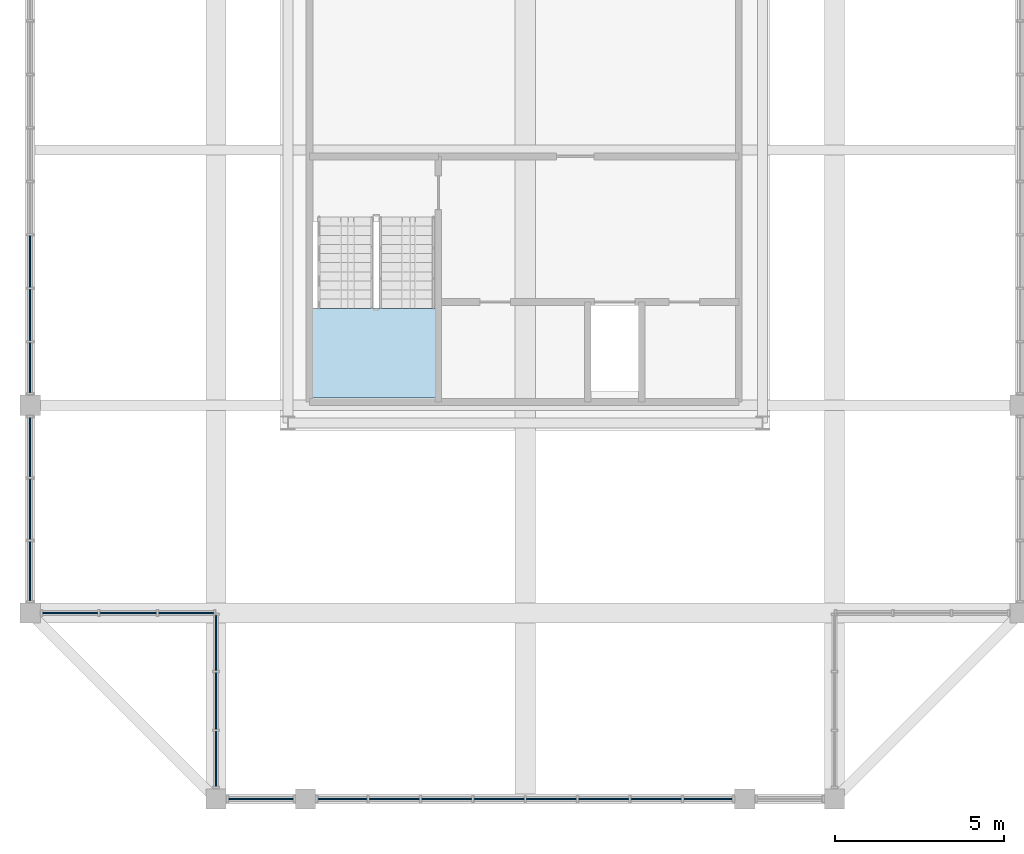
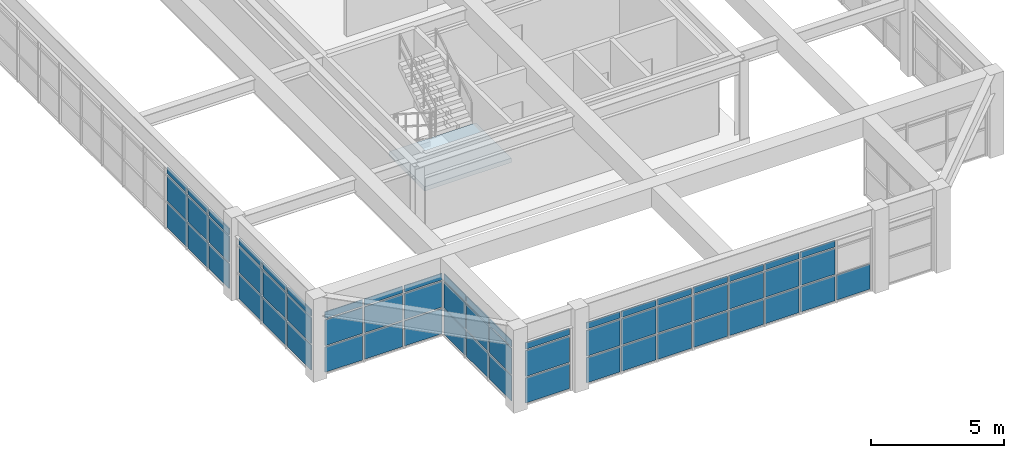
# One storey, part 23 of 28: 61 plates, 1 slab, 7 elements without a shape of their own.
"""IFC4 building model written with IfcOpenShell, lengths in metres."""

from ifc_helpers import new_model, si_unit, direction, frame, origin, origin_2d, place, context, subcontext, project, spatial, polyline, rectangle, outline, extrude, source, transform, mapped, material, layer, layer_set, type_object, element, aggregate, save


model = new_model("IFC4")

# Units and contexts
model_context = context("Model", 3, precision=1e-05, world=origin(), true_north=direction((0.0, 1.0)))
body_context = subcontext(model_context, "Body", "Model", "MODEL_VIEW")
ifc_project = project(units=[si_unit("LENGTHUNIT", "METRE"), si_unit("AREAUNIT", "SQUARE_METRE"), si_unit("VOLUMEUNIT", "CUBIC_METRE"), si_unit("PLANEANGLEUNIT", "RADIAN"), si_unit("MASSUNIT", "GRAM", prefix="KILO")], contexts=[model_context])

# Site, building, storey
site_placement = place(None, origin())
site = spatial("IfcSite", under=ifc_project, at=site_placement, CompositionType="ELEMENT")
building_placement = place(site_placement, origin())
building = spatial("IfcBuilding", under=site, at=building_placement, Name="Saelheon Loggia Tower", CompositionType="ELEMENT")
storey_placement = place(building_placement, frame((0.0, 0.0, 271.199951171875)))
storey = spatial("IfcBuildingStorey", under=building, at=storey_placement, Name="CR6", CompositionType="ELEMENT", Elevation=271.199951171875)

# Stair, slab
ifc_material_1 = material(Name="Concrete C40/50", Category="concrete")
stair_type = type_object("IfcStairType", Name="Stair_Plant_Crown", PredefinedType="HALF_TURN_STAIR", material=ifc_material_1)
stair_placement = place(storey_placement, origin())
stair = element("IfcStair", 1, at=stair_placement, inside=storey, type_object=stair_type, Name="CR6 Crown Plant Stair ST5", PredefinedType="HALF_TURN_STAIR")
ifc_layer_1 = layer(ifc_material_1, 0.199951171875)
ifc_layer_set_1 = layer_set([ifc_layer_1], Name="Concrete C40/50")
slab_type = type_object("IfcSlabType", Name="Slab_StairLanding_ST5", PredefinedType="LANDING", material=ifc_layer_set_1)
slab_placement = place(storey_placement, frame((0.0, 0.0, 1.699951171875)))
slab = element("IfcSlab", 2, at=slab_placement, type_object=slab_type, Name="ST5 landing 1", PredefinedType="LANDING", context=body_context, shape_type="SweptSolid", body=[
    extrude(outline(polyline([(31.7099609375, 20.8701171875), (31.7099609375, 18.2099609375), (35.469970703125, 18.2099609375), (35.469970703125, 20.8701171875), (31.7099609375, 20.8701171875)])), origin(), (0.0, 0.0, 1.0), 0.2001953125),
])
aggregate(stair, [slab])

# Curtain wall, plates
ifc_material_2 = material(Name="Bronze-Anodised Aluminium and Fritted Ceramic Screen", Category="aluminium")
ifc_layer_2 = layer(ifc_material_2, 0.219970703125)
ifc_layer_set_2 = layer_set([ifc_layer_2], Name="Bronze-Anodised Aluminium and Fritted Ceramic Screen")
curtain_wall_type = type_object("IfcCurtainWallType", Name="CW_CrownScreen", PredefinedType="NOTDEFINED", material=ifc_layer_set_2)
curtain_wall_1_placement = place(storey_placement, origin())
curtain_wall_1 = element("IfcCurtainWall", 3, at=curtain_wall_1_placement, inside=storey, type_object=curtain_wall_type, Name="CR6 Crown Screen Curtain Wall 0-1", PredefinedType="NOTDEFINED")
ifc_material_3 = material(Name="Bronze Ceramic Fritted Spandrel Panel", Category="aluminium")
ifc_layer_3 = layer(ifc_material_3, 0.0380859375)
ifc_layer_set_3 = layer_set([ifc_layer_3], Name="Bronze Ceramic Fritted Spandrel Panel")
plate_type = type_object("IfcPlateType", Name="CW_CrownScreen_Panel", PredefinedType="CURTAIN_PANEL", material=ifc_layer_set_3)
shared_shape_1 = source(origin(), body_context, "Body", "SweptSolid", [
    extrude(rectangle(XDim=1.909912109375, YDim=0.0380859375, at=origin_2d()), origin(), (0.0, 0.0, 1.0), 1.14501953125),
])
plate_1_placement = place(storey_placement, frame((30.175048828125, 6.35009765625, 0.070068359375), z_axis=(0.0, 0.0, 1.0), x_axis=(1.0, 0.0, 0.0)))
plate_1 = element("IfcPlate", 4, at=plate_1_placement, type_object=plate_type, Name="CW6 panel 1.1", PredefinedType="CURTAIN_PANEL", context=body_context, shape_type="MappedRepresentation", body=[
    mapped(shared_shape_1, transform((0.0, 0.0, 0.0), scale=1.0)),
])
shared_shape_2 = source(origin(), body_context, "Body", "SweptSolid", [
    extrude(rectangle(XDim=1.909912109375, YDim=0.0380859375, at=origin_2d()), origin(), (0.0, 0.0, 1.0), 1.179931640625),
])
plate_2_placement = place(storey_placement, frame((30.175048828125, 6.35009765625, 1.28515625), z_axis=(0.0, 0.0, 1.0), x_axis=(1.0, 0.0, 0.0)))
plate_2 = element("IfcPlate", 5, at=plate_2_placement, type_object=plate_type, Name="CW6 panel 1.2", PredefinedType="CURTAIN_PANEL", context=body_context, shape_type="MappedRepresentation", body=[
    mapped(shared_shape_2, transform((0.0, 0.0, 0.0), scale=1.0)),
])
shared_shape_3 = source(origin(), body_context, "Body", "SweptSolid", [
    extrude(rectangle(XDim=1.909912109375, YDim=0.0380859375, at=origin_2d()), origin(), (0.0, 0.0, 1.0), 0.294921875),
])
plate_3_placement = place(storey_placement, frame((30.175048828125, 6.35009765625, 2.53515625), z_axis=(0.0, 0.0, 1.0), x_axis=(1.0, 0.0, 0.0)))
plate_3 = element("IfcPlate", 6, at=plate_3_placement, type_object=plate_type, Name="CW6 panel 1.3", PredefinedType="CURTAIN_PANEL", context=body_context, shape_type="MappedRepresentation", body=[
    mapped(shared_shape_3, transform((0.0, 0.0, 0.0), scale=1.0)),
])
aggregate(curtain_wall_1, [plate_1, plate_2, plate_3])

curtain_wall_2_placement = place(storey_placement, origin())
curtain_wall_2 = element("IfcCurtainWall", 7, at=curtain_wall_2_placement, inside=storey, type_object=curtain_wall_type, Name="CR6 Crown Screen Curtain Wall 0-2", PredefinedType="NOTDEFINED")
shared_shape_4 = source(origin(), body_context, "Body", "SweptSolid", [
    extrude(rectangle(XDim=1.445068359375, YDim=0.0380859375, at=origin_2d()), origin(), (0.0, 0.0, 1.0), 1.14501953125),
])
plate_4_placement = place(storey_placement, frame((32.592529296875, 6.35009765625, 0.070068359375), z_axis=(0.0, 0.0, 1.0), x_axis=(1.0, 0.0, 0.0)))
plate_4 = element("IfcPlate", 8, at=plate_4_placement, type_object=plate_type, Name="CW6 panel 1.1", PredefinedType="CURTAIN_PANEL", context=body_context, shape_type="MappedRepresentation", body=[
    mapped(shared_shape_4, transform((0.0, 0.0, 0.0), scale=1.0)),
])
plate_5_placement = place(storey_placement, frame((43.407470703125, 6.35009765625, 0.070068359375), z_axis=(0.0, 0.0, 1.0), x_axis=(1.0, 0.0, 0.0)))
plate_5 = element("IfcPlate", 9, at=plate_5_placement, type_object=plate_type, Name="CW6 panel 8.1", PredefinedType="CURTAIN_PANEL", context=body_context, shape_type="MappedRepresentation", body=[
    mapped(shared_shape_4, transform((0.0, 0.0, 0.0), scale=1.0)),
])
shared_shape_5 = source(origin(), body_context, "Body", "SweptSolid", [
    extrude(rectangle(XDim=1.445068359375, YDim=0.0380859375, at=origin_2d()), origin(), (0.0, 0.0, 1.0), 1.179931640625),
])
plate_6_placement = place(storey_placement, frame((32.592529296875, 6.35009765625, 1.28515625), z_axis=(0.0, 0.0, 1.0), x_axis=(1.0, 0.0, 0.0)))
plate_6 = element("IfcPlate", 10, at=plate_6_placement, type_object=plate_type, Name="CW6 panel 1.2", PredefinedType="CURTAIN_PANEL", context=body_context, shape_type="MappedRepresentation", body=[
    mapped(shared_shape_5, transform((0.0, 0.0, 0.0), scale=1.0)),
])
shared_shape_6 = source(origin(), body_context, "Body", "SweptSolid", [
    extrude(rectangle(XDim=1.445068359375, YDim=0.0380859375, at=origin_2d()), origin(), (0.0, 0.0, 1.0), 0.294921875),
])
plate_7_placement = place(storey_placement, frame((32.592529296875, 6.35009765625, 2.53515625), z_axis=(0.0, 0.0, 1.0), x_axis=(1.0, 0.0, 0.0)))
plate_7 = element("IfcPlate", 11, at=plate_7_placement, type_object=plate_type, Name="CW6 panel 1.3", PredefinedType="CURTAIN_PANEL", context=body_context, shape_type="MappedRepresentation", body=[
    mapped(shared_shape_6, transform((0.0, 0.0, 0.0), scale=1.0)),
])
shared_shape_7 = source(origin(), body_context, "Body", "SweptSolid", [
    extrude(rectangle(XDim=1.47998046875, YDim=0.0380859375, at=origin_2d()), origin(), (0.0, 0.0, 1.0), 1.14501953125),
])
plate_8_placement = place(storey_placement, frame((34.125, 6.35009765625, 0.070068359375), z_axis=(0.0, 0.0, 1.0), x_axis=(1.0, 0.0, 0.0)))
plate_8 = element("IfcPlate", 12, at=plate_8_placement, type_object=plate_type, Name="CW6 panel 2.1", PredefinedType="CURTAIN_PANEL", context=body_context, shape_type="MappedRepresentation", body=[
    mapped(shared_shape_7, transform((0.0, 0.0, 0.0), scale=1.0)),
])
plate_9_placement = place(storey_placement, frame((35.675048828125, 6.35009765625, 0.070068359375), z_axis=(0.0, 0.0, 1.0), x_axis=(1.0, 0.0, 0.0)))
plate_9 = element("IfcPlate", 13, at=plate_9_placement, type_object=plate_type, Name="CW6 panel 3.1", PredefinedType="CURTAIN_PANEL", context=body_context, shape_type="MappedRepresentation", body=[
    mapped(shared_shape_7, transform((0.0, 0.0, 0.0), scale=1.0)),
])
plate_10_placement = place(storey_placement, frame((37.22509765625, 6.35009765625, 0.070068359375), z_axis=(0.0, 0.0, 1.0), x_axis=(1.0, 0.0, 0.0)))
plate_10 = element("IfcPlate", 14, at=plate_10_placement, type_object=plate_type, Name="CW6 panel 4.1", PredefinedType="CURTAIN_PANEL", context=body_context, shape_type="MappedRepresentation", body=[
    mapped(shared_shape_7, transform((0.0, 0.0, 0.0), scale=1.0)),
])
plate_11_placement = place(storey_placement, frame((38.77490234375, 6.35009765625, 0.070068359375), z_axis=(0.0, 0.0, 1.0), x_axis=(1.0, 0.0, 0.0)))
plate_11 = element("IfcPlate", 15, at=plate_11_placement, type_object=plate_type, Name="CW6 panel 5.1", PredefinedType="CURTAIN_PANEL", context=body_context, shape_type="MappedRepresentation", body=[
    mapped(shared_shape_7, transform((0.0, 0.0, 0.0), scale=1.0)),
])
plate_12_placement = place(storey_placement, frame((40.324951171875, 6.35009765625, 0.070068359375), z_axis=(0.0, 0.0, 1.0), x_axis=(1.0, 0.0, 0.0)))
plate_12 = element("IfcPlate", 16, at=plate_12_placement, type_object=plate_type, Name="CW6 panel 6.1", PredefinedType="CURTAIN_PANEL", context=body_context, shape_type="MappedRepresentation", body=[
    mapped(shared_shape_7, transform((0.0, 0.0, 0.0), scale=1.0)),
])
plate_13_placement = place(storey_placement, frame((41.875, 6.35009765625, 0.070068359375), z_axis=(0.0, 0.0, 1.0), x_axis=(1.0, 0.0, 0.0)))
plate_13 = element("IfcPlate", 17, at=plate_13_placement, type_object=plate_type, Name="CW6 panel 7.1", PredefinedType="CURTAIN_PANEL", context=body_context, shape_type="MappedRepresentation", body=[
    mapped(shared_shape_7, transform((0.0, 0.0, 0.0), scale=1.0)),
])
shared_shape_8 = source(origin(), body_context, "Body", "SweptSolid", [
    extrude(rectangle(XDim=1.47998046875, YDim=0.0380859375, at=origin_2d()), origin(), (0.0, 0.0, 1.0), 1.179931640625),
])
plate_14_placement = place(storey_placement, frame((34.125, 6.35009765625, 1.28515625), z_axis=(0.0, 0.0, 1.0), x_axis=(1.0, 0.0, 0.0)))
plate_14 = element("IfcPlate", 18, at=plate_14_placement, type_object=plate_type, Name="CW6 panel 2.2", PredefinedType="CURTAIN_PANEL", context=body_context, shape_type="MappedRepresentation", body=[
    mapped(shared_shape_8, transform((0.0, 0.0, 0.0), scale=1.0)),
])
plate_15_placement = place(storey_placement, frame((35.675048828125, 6.35009765625, 1.28515625), z_axis=(0.0, 0.0, 1.0), x_axis=(1.0, 0.0, 0.0)))
plate_15 = element("IfcPlate", 19, at=plate_15_placement, type_object=plate_type, Name="CW6 panel 3.2", PredefinedType="CURTAIN_PANEL", context=body_context, shape_type="MappedRepresentation", body=[
    mapped(shared_shape_8, transform((0.0, 0.0, 0.0), scale=1.0)),
])
plate_16_placement = place(storey_placement, frame((37.22509765625, 6.35009765625, 1.28515625), z_axis=(0.0, 0.0, 1.0), x_axis=(1.0, 0.0, 0.0)))
plate_16 = element("IfcPlate", 20, at=plate_16_placement, type_object=plate_type, Name="CW6 panel 4.2", PredefinedType="CURTAIN_PANEL", context=body_context, shape_type="MappedRepresentation", body=[
    mapped(shared_shape_8, transform((0.0, 0.0, 0.0), scale=1.0)),
])
plate_17_placement = place(storey_placement, frame((38.77490234375, 6.35009765625, 1.28515625), z_axis=(0.0, 0.0, 1.0), x_axis=(1.0, 0.0, 0.0)))
plate_17 = element("IfcPlate", 21, at=plate_17_placement, type_object=plate_type, Name="CW6 panel 5.2", PredefinedType="CURTAIN_PANEL", context=body_context, shape_type="MappedRepresentation", body=[
    mapped(shared_shape_8, transform((0.0, 0.0, 0.0), scale=1.0)),
])
plate_18_placement = place(storey_placement, frame((40.324951171875, 6.35009765625, 1.28515625), z_axis=(0.0, 0.0, 1.0), x_axis=(1.0, 0.0, 0.0)))
plate_18 = element("IfcPlate", 22, at=plate_18_placement, type_object=plate_type, Name="CW6 panel 6.2", PredefinedType="CURTAIN_PANEL", context=body_context, shape_type="MappedRepresentation", body=[
    mapped(shared_shape_8, transform((0.0, 0.0, 0.0), scale=1.0)),
])
plate_19_placement = place(storey_placement, frame((41.875, 6.35009765625, 1.28515625), z_axis=(0.0, 0.0, 1.0), x_axis=(1.0, 0.0, 0.0)))
plate_19 = element("IfcPlate", 23, at=plate_19_placement, type_object=plate_type, Name="CW6 panel 7.2", PredefinedType="CURTAIN_PANEL", context=body_context, shape_type="MappedRepresentation", body=[
    mapped(shared_shape_8, transform((0.0, 0.0, 0.0), scale=1.0)),
])
shared_shape_9 = source(origin(), body_context, "Body", "SweptSolid", [
    extrude(rectangle(XDim=1.47998046875, YDim=0.0380859375, at=origin_2d()), origin(), (0.0, 0.0, 1.0), 0.294921875),
])
plate_20_placement = place(storey_placement, frame((34.125, 6.35009765625, 2.53515625), z_axis=(0.0, 0.0, 1.0), x_axis=(1.0, 0.0, 0.0)))
plate_20 = element("IfcPlate", 24, at=plate_20_placement, type_object=plate_type, Name="CW6 panel 2.3", PredefinedType="CURTAIN_PANEL", context=body_context, shape_type="MappedRepresentation", body=[
    mapped(shared_shape_9, transform((0.0, 0.0, 0.0), scale=1.0)),
])
plate_21_placement = place(storey_placement, frame((35.675048828125, 6.35009765625, 2.53515625), z_axis=(0.0, 0.0, 1.0), x_axis=(1.0, 0.0, 0.0)))
plate_21 = element("IfcPlate", 25, at=plate_21_placement, type_object=plate_type, Name="CW6 panel 3.3", PredefinedType="CURTAIN_PANEL", context=body_context, shape_type="MappedRepresentation", body=[
    mapped(shared_shape_9, transform((0.0, 0.0, 0.0), scale=1.0)),
])
plate_22_placement = place(storey_placement, frame((37.22509765625, 6.35009765625, 2.53515625), z_axis=(0.0, 0.0, 1.0), x_axis=(1.0, 0.0, 0.0)))
plate_22 = element("IfcPlate", 26, at=plate_22_placement, type_object=plate_type, Name="CW6 panel 4.3", PredefinedType="CURTAIN_PANEL", context=body_context, shape_type="MappedRepresentation", body=[
    mapped(shared_shape_9, transform((0.0, 0.0, 0.0), scale=1.0)),
])
plate_23_placement = place(storey_placement, frame((38.77490234375, 6.35009765625, 2.53515625), z_axis=(0.0, 0.0, 1.0), x_axis=(1.0, 0.0, 0.0)))
plate_23 = element("IfcPlate", 27, at=plate_23_placement, type_object=plate_type, Name="CW6 panel 5.3", PredefinedType="CURTAIN_PANEL", context=body_context, shape_type="MappedRepresentation", body=[
    mapped(shared_shape_9, transform((0.0, 0.0, 0.0), scale=1.0)),
])
plate_24_placement = place(storey_placement, frame((40.324951171875, 6.35009765625, 2.53515625), z_axis=(0.0, 0.0, 1.0), x_axis=(1.0, 0.0, 0.0)))
plate_24 = element("IfcPlate", 28, at=plate_24_placement, type_object=plate_type, Name="CW6 panel 6.3", PredefinedType="CURTAIN_PANEL", context=body_context, shape_type="MappedRepresentation", body=[
    mapped(shared_shape_9, transform((0.0, 0.0, 0.0), scale=1.0)),
])
plate_25_placement = place(storey_placement, frame((41.875, 6.35009765625, 2.53515625), z_axis=(0.0, 0.0, 1.0), x_axis=(1.0, 0.0, 0.0)))
plate_25 = element("IfcPlate", 29, at=plate_25_placement, type_object=plate_type, Name="CW6 panel 7.3", PredefinedType="CURTAIN_PANEL", context=body_context, shape_type="MappedRepresentation", body=[
    mapped(shared_shape_9, transform((0.0, 0.0, 0.0), scale=1.0)),
])
aggregate(curtain_wall_2, [plate_4, plate_6, plate_7, plate_8, plate_14, plate_20, plate_9, plate_15, plate_21, plate_10, plate_16, plate_22, plate_11, plate_17, plate_23, plate_12, plate_18, plate_24, plate_13, plate_19, plate_25, plate_5])

curtain_wall_3_placement = place(storey_placement, origin())
curtain_wall_3 = element("IfcCurtainWall", 30, at=curtain_wall_3_placement, inside=storey, type_object=curtain_wall_type, Name="CR6 Crown Screen Curtain Wall 10-1", PredefinedType="NOTDEFINED")
shared_shape_10 = source(origin(), body_context, "Body", "SweptSolid", [
    extrude(rectangle(XDim=1.62841796875, YDim=0.0380859375, at=origin_2d()), origin(), (0.0, 0.0, 1.0), 1.14501953125),
])
plate_26_placement = place(storey_placement, frame((24.5341796875, 11.85009765625, 0.070068359375), z_axis=(0.0, 0.0, 1.0), x_axis=(1.0, 0.0, 0.0)))
plate_26 = element("IfcPlate", 31, at=plate_26_placement, type_object=plate_type, Name="CW6 panel 1.1", PredefinedType="CURTAIN_PANEL", context=body_context, shape_type="MappedRepresentation", body=[
    mapped(shared_shape_10, transform((0.0, 0.0, 0.0), scale=1.0)),
])
plate_27_placement = place(storey_placement, frame((27.9658203125, 11.85009765625, 0.070068359375), z_axis=(0.0, 0.0, 1.0), x_axis=(1.0, 0.0, 0.0)))
plate_27 = element("IfcPlate", 32, at=plate_27_placement, type_object=plate_type, Name="CW6 panel 3.1", PredefinedType="CURTAIN_PANEL", context=body_context, shape_type="MappedRepresentation", body=[
    mapped(shared_shape_10, transform((0.0, 0.0, 0.0), scale=1.0)),
])

curtain_wall_4_placement = place(storey_placement, origin())
curtain_wall_4 = element("IfcCurtainWall", 33, at=curtain_wall_4_placement, inside=storey, type_object=curtain_wall_type, Name="CR6 Crown Screen Curtain Wall 11-1", PredefinedType="NOTDEFINED")
plate_28_placement = place(storey_placement, frame((28.85009765625, 10.9658203125, 0.070068359375), z_axis=(0.0, 0.0, 1.0), x_axis=(0.0, -1.0, 0.0)))
plate_28 = element("IfcPlate", 34, at=plate_28_placement, type_object=plate_type, Name="CW6 panel 1.1", PredefinedType="CURTAIN_PANEL", context=body_context, shape_type="MappedRepresentation", body=[
    mapped(shared_shape_10, transform((0.0, 0.0, 0.0), scale=1.0)),
])
plate_29_placement = place(storey_placement, frame((28.85009765625, 7.5341796875, 0.070068359375), z_axis=(0.0, 0.0, 1.0), x_axis=(0.0, -1.0, 0.0)))
plate_29 = element("IfcPlate", 35, at=plate_29_placement, type_object=plate_type, Name="CW6 panel 3.1", PredefinedType="CURTAIN_PANEL", context=body_context, shape_type="MappedRepresentation", body=[
    mapped(shared_shape_10, transform((0.0, 0.0, 0.0), scale=1.0)),
])

# Plate
shared_shape_11 = source(origin(), body_context, "Body", "SweptSolid", [
    extrude(rectangle(XDim=1.62841796875, YDim=0.0380859375, at=origin_2d()), origin(), (0.0, 0.0, 1.0), 1.179931640625),
])
plate_30_placement = place(storey_placement, frame((24.5341796875, 11.85009765625, 1.28515625), z_axis=(0.0, 0.0, 1.0), x_axis=(1.0, 0.0, 0.0)))
plate_30 = element("IfcPlate", 36, at=plate_30_placement, type_object=plate_type, Name="CW6 panel 1.2", PredefinedType="CURTAIN_PANEL", context=body_context, shape_type="MappedRepresentation", body=[
    mapped(shared_shape_11, transform((0.0, 0.0, 0.0), scale=1.0)),
])

plate_31_placement = place(storey_placement, frame((27.9658203125, 11.85009765625, 1.28515625), z_axis=(0.0, 0.0, 1.0), x_axis=(1.0, 0.0, 0.0)))
plate_31 = element("IfcPlate", 37, at=plate_31_placement, type_object=plate_type, Name="CW6 panel 3.2", PredefinedType="CURTAIN_PANEL", context=body_context, shape_type="MappedRepresentation", body=[
    mapped(shared_shape_11, transform((0.0, 0.0, 0.0), scale=1.0)),
])

plate_32_placement = place(storey_placement, frame((28.85009765625, 10.9658203125, 1.28515625), z_axis=(0.0, 0.0, 1.0), x_axis=(0.0, -1.0, 0.0)))
plate_32 = element("IfcPlate", 38, at=plate_32_placement, type_object=plate_type, Name="CW6 panel 1.2", PredefinedType="CURTAIN_PANEL", context=body_context, shape_type="MappedRepresentation", body=[
    mapped(shared_shape_11, transform((0.0, 0.0, 0.0), scale=1.0)),
])

plate_33_placement = place(storey_placement, frame((28.85009765625, 7.5341796875, 1.28515625), z_axis=(0.0, 0.0, 1.0), x_axis=(0.0, -1.0, 0.0)))
plate_33 = element("IfcPlate", 39, at=plate_33_placement, type_object=plate_type, Name="CW6 panel 3.2", PredefinedType="CURTAIN_PANEL", context=body_context, shape_type="MappedRepresentation", body=[
    mapped(shared_shape_11, transform((0.0, 0.0, 0.0), scale=1.0)),
])

shared_shape_12 = source(origin(), body_context, "Body", "SweptSolid", [
    extrude(rectangle(XDim=1.62841796875, YDim=0.0380859375, at=origin_2d()), origin(), (0.0, 0.0, 1.0), 0.294921875),
])
plate_34_placement = place(storey_placement, frame((24.5341796875, 11.85009765625, 2.53515625), z_axis=(0.0, 0.0, 1.0), x_axis=(1.0, 0.0, 0.0)))
plate_34 = element("IfcPlate", 40, at=plate_34_placement, type_object=plate_type, Name="CW6 panel 1.3", PredefinedType="CURTAIN_PANEL", context=body_context, shape_type="MappedRepresentation", body=[
    mapped(shared_shape_12, transform((0.0, 0.0, 0.0), scale=1.0)),
])

plate_35_placement = place(storey_placement, frame((27.9658203125, 11.85009765625, 2.53515625), z_axis=(0.0, 0.0, 1.0), x_axis=(1.0, 0.0, 0.0)))
plate_35 = element("IfcPlate", 41, at=plate_35_placement, type_object=plate_type, Name="CW6 panel 3.3", PredefinedType="CURTAIN_PANEL", context=body_context, shape_type="MappedRepresentation", body=[
    mapped(shared_shape_12, transform((0.0, 0.0, 0.0), scale=1.0)),
])

plate_36_placement = place(storey_placement, frame((28.85009765625, 10.9658203125, 2.53515625), z_axis=(0.0, 0.0, 1.0), x_axis=(0.0, -1.0, 0.0)))
plate_36 = element("IfcPlate", 42, at=plate_36_placement, type_object=plate_type, Name="CW6 panel 1.3", PredefinedType="CURTAIN_PANEL", context=body_context, shape_type="MappedRepresentation", body=[
    mapped(shared_shape_12, transform((0.0, 0.0, 0.0), scale=1.0)),
])

plate_37_placement = place(storey_placement, frame((28.85009765625, 7.5341796875, 2.53515625), z_axis=(0.0, 0.0, 1.0), x_axis=(0.0, -1.0, 0.0)))
plate_37 = element("IfcPlate", 43, at=plate_37_placement, type_object=plate_type, Name="CW6 panel 3.3", PredefinedType="CURTAIN_PANEL", context=body_context, shape_type="MappedRepresentation", body=[
    mapped(shared_shape_12, transform((0.0, 0.0, 0.0), scale=1.0)),
])

shared_shape_13 = source(origin(), body_context, "Body", "SweptSolid", [
    extrude(rectangle(XDim=1.663330078125, YDim=0.0380859375, at=origin_2d()), origin(), (0.0, 0.0, 1.0), 1.14501953125),
])
plate_38_placement = place(storey_placement, frame((26.25, 11.85009765625, 0.070068359375), z_axis=(0.0, 0.0, 1.0), x_axis=(1.0, 0.0, 0.0)))
plate_38 = element("IfcPlate", 44, at=plate_38_placement, type_object=plate_type, Name="CW6 panel 2.1", PredefinedType="CURTAIN_PANEL", context=body_context, shape_type="MappedRepresentation", body=[
    mapped(shared_shape_13, transform((0.0, 0.0, 0.0), scale=1.0)),
])

plate_39_placement = place(storey_placement, frame((28.85009765625, 9.25, 0.070068359375), z_axis=(0.0, 0.0, 1.0), x_axis=(0.0, -1.0, 0.0)))
plate_39 = element("IfcPlate", 45, at=plate_39_placement, type_object=plate_type, Name="CW6 panel 2.1", PredefinedType="CURTAIN_PANEL", context=body_context, shape_type="MappedRepresentation", body=[
    mapped(shared_shape_13, transform((0.0, 0.0, 0.0), scale=1.0)),
])

shared_shape_14 = source(origin(), body_context, "Body", "SweptSolid", [
    extrude(rectangle(XDim=1.663330078125, YDim=0.0380859375, at=origin_2d()), origin(), (0.0, 0.0, 1.0), 1.179931640625),
])
plate_40_placement = place(storey_placement, frame((26.25, 11.85009765625, 1.28515625), z_axis=(0.0, 0.0, 1.0), x_axis=(1.0, 0.0, 0.0)))
plate_40 = element("IfcPlate", 46, at=plate_40_placement, type_object=plate_type, Name="CW6 panel 2.2", PredefinedType="CURTAIN_PANEL", context=body_context, shape_type="MappedRepresentation", body=[
    mapped(shared_shape_14, transform((0.0, 0.0, 0.0), scale=1.0)),
])

plate_41_placement = place(storey_placement, frame((28.85009765625, 9.25, 1.28515625), z_axis=(0.0, 0.0, 1.0), x_axis=(0.0, -1.0, 0.0)))
plate_41 = element("IfcPlate", 47, at=plate_41_placement, type_object=plate_type, Name="CW6 panel 2.2", PredefinedType="CURTAIN_PANEL", context=body_context, shape_type="MappedRepresentation", body=[
    mapped(shared_shape_14, transform((0.0, 0.0, 0.0), scale=1.0)),
])

shared_shape_15 = source(origin(), body_context, "Body", "SweptSolid", [
    extrude(rectangle(XDim=1.663330078125, YDim=0.0380859375, at=origin_2d()), origin(), (0.0, 0.0, 1.0), 0.294921875),
])
plate_42_placement = place(storey_placement, frame((26.25, 11.85009765625, 2.53515625), z_axis=(0.0, 0.0, 1.0), x_axis=(1.0, 0.0, 0.0)))
plate_42 = element("IfcPlate", 48, at=plate_42_placement, type_object=plate_type, Name="CW6 panel 2.3", PredefinedType="CURTAIN_PANEL", context=body_context, shape_type="MappedRepresentation", body=[
    mapped(shared_shape_15, transform((0.0, 0.0, 0.0), scale=1.0)),
])

aggregate(curtain_wall_3, [plate_26, plate_30, plate_34, plate_38, plate_40, plate_42, plate_27, plate_31, plate_35])

plate_43_placement = place(storey_placement, frame((28.85009765625, 9.25, 2.53515625), z_axis=(0.0, 0.0, 1.0), x_axis=(0.0, -1.0, 0.0)))
plate_43 = element("IfcPlate", 49, at=plate_43_placement, type_object=plate_type, Name="CW6 panel 2.3", PredefinedType="CURTAIN_PANEL", context=body_context, shape_type="MappedRepresentation", body=[
    mapped(shared_shape_15, transform((0.0, 0.0, 0.0), scale=1.0)),
])

aggregate(curtain_wall_4, [plate_28, plate_32, plate_36, plate_39, plate_41, plate_43, plate_29, plate_33, plate_37])

# Curtain wall, plates
curtain_wall_5_placement = place(storey_placement, origin())
curtain_wall_5 = element("IfcCurtainWall", 50, at=curtain_wall_5_placement, inside=storey, type_object=curtain_wall_type, Name="CR6 Crown Screen Curtain Wall 9-3", PredefinedType="NOTDEFINED")
shared_shape_16 = source(origin(), body_context, "Body", "SweptSolid", [
    extrude(rectangle(XDim=1.7451171875, YDim=0.0380859375, at=origin_2d()), origin(), (0.0, 0.0, 1.0), 1.14501953125),
])
plate_44_placement = place(storey_placement, frame((23.35009765625, 16.757568359375, 0.070068359375), z_axis=(0.0, 0.0, 1.0), x_axis=(0.0, -1.0, 0.0)))
plate_44 = element("IfcPlate", 51, at=plate_44_placement, type_object=plate_type, Name="CW6 panel 1.1", PredefinedType="CURTAIN_PANEL", context=body_context, shape_type="MappedRepresentation", body=[
    mapped(shared_shape_16, transform((0.0, 0.0, 0.0), scale=1.0)),
])
plate_45_placement = place(storey_placement, frame((23.35009765625, 13.092529296875, 0.070068359375), z_axis=(0.0, 0.0, 1.0), x_axis=(0.0, -1.0, 0.0)))
plate_45 = element("IfcPlate", 52, at=plate_45_placement, type_object=plate_type, Name="CW6 panel 3.1", PredefinedType="CURTAIN_PANEL", context=body_context, shape_type="MappedRepresentation", body=[
    mapped(shared_shape_16, transform((0.0, 0.0, 0.0), scale=1.0)),
])
shared_shape_17 = source(origin(), body_context, "Body", "SweptSolid", [
    extrude(rectangle(XDim=1.7451171875, YDim=0.0380859375, at=origin_2d()), origin(), (0.0, 0.0, 1.0), 1.179931640625),
])
plate_46_placement = place(storey_placement, frame((23.35009765625, 16.757568359375, 1.28515625), z_axis=(0.0, 0.0, 1.0), x_axis=(0.0, -1.0, 0.0)))
plate_46 = element("IfcPlate", 53, at=plate_46_placement, type_object=plate_type, Name="CW6 panel 1.2", PredefinedType="CURTAIN_PANEL", context=body_context, shape_type="MappedRepresentation", body=[
    mapped(shared_shape_17, transform((0.0, 0.0, 0.0), scale=1.0)),
])
plate_47_placement = place(storey_placement, frame((23.35009765625, 13.092529296875, 1.28515625), z_axis=(0.0, 0.0, 1.0), x_axis=(0.0, -1.0, 0.0)))
plate_47 = element("IfcPlate", 54, at=plate_47_placement, type_object=plate_type, Name="CW6 panel 3.2", PredefinedType="CURTAIN_PANEL", context=body_context, shape_type="MappedRepresentation", body=[
    mapped(shared_shape_17, transform((0.0, 0.0, 0.0), scale=1.0)),
])
shared_shape_18 = source(origin(), body_context, "Body", "SweptSolid", [
    extrude(rectangle(XDim=1.7451171875, YDim=0.0380859375, at=origin_2d()), origin(), (0.0, 0.0, 1.0), 0.294921875),
])
plate_48_placement = place(storey_placement, frame((23.35009765625, 16.757568359375, 2.53515625), z_axis=(0.0, 0.0, 1.0), x_axis=(0.0, -1.0, 0.0)))
plate_48 = element("IfcPlate", 55, at=plate_48_placement, type_object=plate_type, Name="CW6 panel 1.3", PredefinedType="CURTAIN_PANEL", context=body_context, shape_type="MappedRepresentation", body=[
    mapped(shared_shape_18, transform((0.0, 0.0, 0.0), scale=1.0)),
])
plate_49_placement = place(storey_placement, frame((23.35009765625, 13.092529296875, 2.53515625), z_axis=(0.0, 0.0, 1.0), x_axis=(0.0, -1.0, 0.0)))
plate_49 = element("IfcPlate", 56, at=plate_49_placement, type_object=plate_type, Name="CW6 panel 3.3", PredefinedType="CURTAIN_PANEL", context=body_context, shape_type="MappedRepresentation", body=[
    mapped(shared_shape_18, transform((0.0, 0.0, 0.0), scale=1.0)),
])
shared_shape_19 = source(origin(), body_context, "Body", "SweptSolid", [
    extrude(rectangle(XDim=1.780029296875, YDim=0.0380859375, at=origin_2d()), origin(), (0.0, 0.0, 1.0), 1.14501953125),
])
plate_50_placement = place(storey_placement, frame((23.35009765625, 14.925048828125, 0.070068359375), z_axis=(0.0, 0.0, 1.0), x_axis=(0.0, -1.0, 0.0)))
plate_50 = element("IfcPlate", 57, at=plate_50_placement, type_object=plate_type, Name="CW6 panel 2.1", PredefinedType="CURTAIN_PANEL", context=body_context, shape_type="MappedRepresentation", body=[
    mapped(shared_shape_19, transform((0.0, 0.0, 0.0), scale=1.0)),
])
shared_shape_20 = source(origin(), body_context, "Body", "SweptSolid", [
    extrude(rectangle(XDim=1.780029296875, YDim=0.0380859375, at=origin_2d()), origin(), (0.0, 0.0, 1.0), 1.179931640625),
])
plate_51_placement = place(storey_placement, frame((23.35009765625, 14.925048828125, 1.28515625), z_axis=(0.0, 0.0, 1.0), x_axis=(0.0, -1.0, 0.0)))
plate_51 = element("IfcPlate", 58, at=plate_51_placement, type_object=plate_type, Name="CW6 panel 2.2", PredefinedType="CURTAIN_PANEL", context=body_context, shape_type="MappedRepresentation", body=[
    mapped(shared_shape_20, transform((0.0, 0.0, 0.0), scale=1.0)),
])
shared_shape_21 = source(origin(), body_context, "Body", "SweptSolid", [
    extrude(rectangle(XDim=1.780029296875, YDim=0.0380859375, at=origin_2d()), origin(), (0.0, 0.0, 1.0), 0.294921875),
])
plate_52_placement = place(storey_placement, frame((23.35009765625, 14.925048828125, 2.53515625), z_axis=(0.0, 0.0, 1.0), x_axis=(0.0, -1.0, 0.0)))
plate_52 = element("IfcPlate", 59, at=plate_52_placement, type_object=plate_type, Name="CW6 panel 2.3", PredefinedType="CURTAIN_PANEL", context=body_context, shape_type="MappedRepresentation", body=[
    mapped(shared_shape_21, transform((0.0, 0.0, 0.0), scale=1.0)),
])
aggregate(curtain_wall_5, [plate_44, plate_46, plate_48, plate_50, plate_51, plate_52, plate_45, plate_47, plate_49])

curtain_wall_6_placement = place(storey_placement, origin())
curtain_wall_6 = element("IfcCurtainWall", 60, at=curtain_wall_6_placement, inside=storey, type_object=curtain_wall_type, Name="CR6 Crown Screen Curtain Wall 9-2", PredefinedType="NOTDEFINED")
shared_shape_22 = source(origin(), body_context, "Body", "SweptSolid", [
    extrude(rectangle(XDim=1.476806640625, YDim=0.0380859375, at=origin_2d()), origin(), (0.0, 0.0, 1.0), 1.14501953125),
])
plate_53_placement = place(storey_placement, frame((23.35009765625, 19.1083984375, 0.070068359375), z_axis=(0.0, 0.0, 1.0), x_axis=(0.0, -1.0, 0.0)))
plate_53 = element("IfcPlate", 61, at=plate_53_placement, type_object=plate_type, Name="CW6 panel 11.1", PredefinedType="CURTAIN_PANEL", context=body_context, shape_type="MappedRepresentation", body=[
    mapped(shared_shape_22, transform((0.0, 0.0, 0.0), scale=1.0)),
])
shared_shape_23 = source(origin(), body_context, "Body", "SweptSolid", [
    extrude(rectangle(XDim=1.476806640625, YDim=0.0380859375, at=origin_2d()), origin(), (0.0, 0.0, 1.0), 1.179931640625),
])
plate_54_placement = place(storey_placement, frame((23.35009765625, 19.1083984375, 1.28515625), z_axis=(0.0, 0.0, 1.0), x_axis=(0.0, -1.0, 0.0)))
plate_54 = element("IfcPlate", 62, at=plate_54_placement, type_object=plate_type, Name="CW6 panel 11.2", PredefinedType="CURTAIN_PANEL", context=body_context, shape_type="MappedRepresentation", body=[
    mapped(shared_shape_23, transform((0.0, 0.0, 0.0), scale=1.0)),
])
shared_shape_24 = source(origin(), body_context, "Body", "SweptSolid", [
    extrude(rectangle(XDim=1.476806640625, YDim=0.0380859375, at=origin_2d()), origin(), (0.0, 0.0, 1.0), 0.294921875),
])
plate_55_placement = place(storey_placement, frame((23.35009765625, 19.1083984375, 2.53515625), z_axis=(0.0, 0.0, 1.0), x_axis=(0.0, -1.0, 0.0)))
plate_55 = element("IfcPlate", 63, at=plate_55_placement, type_object=plate_type, Name="CW6 panel 11.3", PredefinedType="CURTAIN_PANEL", context=body_context, shape_type="MappedRepresentation", body=[
    mapped(shared_shape_24, transform((0.0, 0.0, 0.0), scale=1.0)),
])
shared_shape_25 = source(origin(), body_context, "Body", "SweptSolid", [
    extrude(rectangle(XDim=1.51171875, YDim=0.0380859375, at=origin_2d()), origin(), (0.0, 0.0, 1.0), 1.14501953125),
])
plate_56_placement = place(storey_placement, frame((23.35009765625, 22.254638671875, 0.070068359375), z_axis=(0.0, 0.0, 1.0), x_axis=(0.0, -1.0, 0.0)))
plate_56 = element("IfcPlate", 64, at=plate_56_placement, type_object=plate_type, Name="CW6 panel 9.1", PredefinedType="CURTAIN_PANEL", context=body_context, shape_type="MappedRepresentation", body=[
    mapped(shared_shape_25, transform((0.0, 0.0, 0.0), scale=1.0)),
])
plate_57_placement = place(storey_placement, frame((23.35009765625, 20.672607421875, 0.070068359375), z_axis=(0.0, 0.0, 1.0), x_axis=(0.0, -1.0, 0.0)))
plate_57 = element("IfcPlate", 65, at=plate_57_placement, type_object=plate_type, Name="CW6 panel 10.1", PredefinedType="CURTAIN_PANEL", context=body_context, shape_type="MappedRepresentation", body=[
    mapped(shared_shape_25, transform((0.0, 0.0, 0.0), scale=1.0)),
])
shared_shape_26 = source(origin(), body_context, "Body", "SweptSolid", [
    extrude(rectangle(XDim=1.51171875, YDim=0.0380859375, at=origin_2d()), origin(), (0.0, 0.0, 1.0), 1.179931640625),
])
plate_58_placement = place(storey_placement, frame((23.35009765625, 22.254638671875, 1.28515625), z_axis=(0.0, 0.0, 1.0), x_axis=(0.0, -1.0, 0.0)))
plate_58 = element("IfcPlate", 66, at=plate_58_placement, type_object=plate_type, Name="CW6 panel 9.2", PredefinedType="CURTAIN_PANEL", context=body_context, shape_type="MappedRepresentation", body=[
    mapped(shared_shape_26, transform((0.0, 0.0, 0.0), scale=1.0)),
])
plate_59_placement = place(storey_placement, frame((23.35009765625, 20.672607421875, 1.28515625), z_axis=(0.0, 0.0, 1.0), x_axis=(0.0, -1.0, 0.0)))
plate_59 = element("IfcPlate", 67, at=plate_59_placement, type_object=plate_type, Name="CW6 panel 10.2", PredefinedType="CURTAIN_PANEL", context=body_context, shape_type="MappedRepresentation", body=[
    mapped(shared_shape_26, transform((0.0, 0.0, 0.0), scale=1.0)),
])
shared_shape_27 = source(origin(), body_context, "Body", "SweptSolid", [
    extrude(rectangle(XDim=1.51171875, YDim=0.0380859375, at=origin_2d()), origin(), (0.0, 0.0, 1.0), 0.294921875),
])
plate_60_placement = place(storey_placement, frame((23.35009765625, 22.254638671875, 2.53515625), z_axis=(0.0, 0.0, 1.0), x_axis=(0.0, -1.0, 0.0)))
plate_60 = element("IfcPlate", 68, at=plate_60_placement, type_object=plate_type, Name="CW6 panel 9.3", PredefinedType="CURTAIN_PANEL", context=body_context, shape_type="MappedRepresentation", body=[
    mapped(shared_shape_27, transform((0.0, 0.0, 0.0), scale=1.0)),
])
plate_61_placement = place(storey_placement, frame((23.35009765625, 20.672607421875, 2.53515625), z_axis=(0.0, 0.0, 1.0), x_axis=(0.0, -1.0, 0.0)))
plate_61 = element("IfcPlate", 69, at=plate_61_placement, type_object=plate_type, Name="CW6 panel 10.3", PredefinedType="CURTAIN_PANEL", context=body_context, shape_type="MappedRepresentation", body=[
    mapped(shared_shape_27, transform((0.0, 0.0, 0.0), scale=1.0)),
])
aggregate(curtain_wall_6, [plate_56, plate_58, plate_60, plate_57, plate_59, plate_61, plate_53, plate_54, plate_55])

save(model, "model.ifc")
